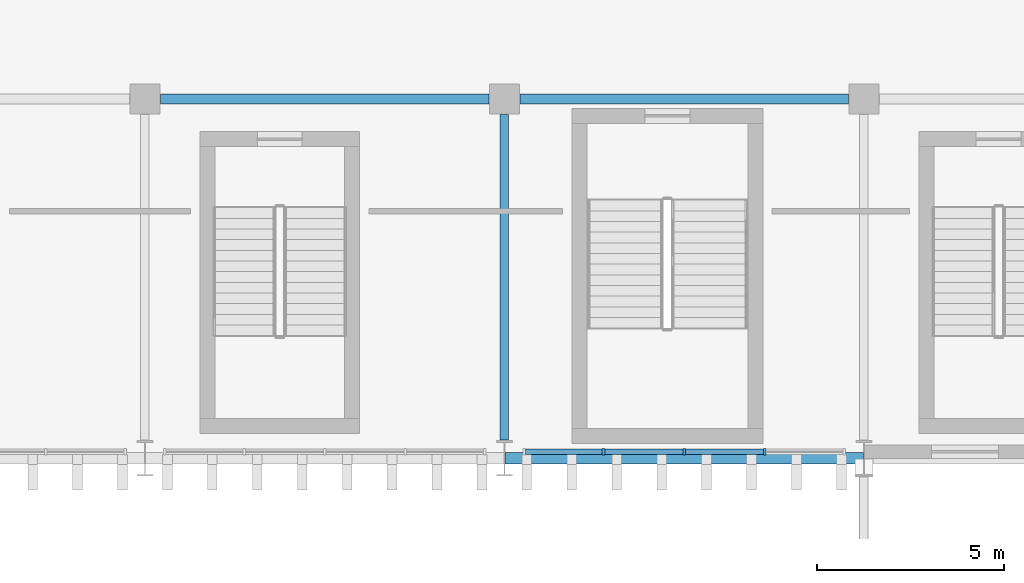
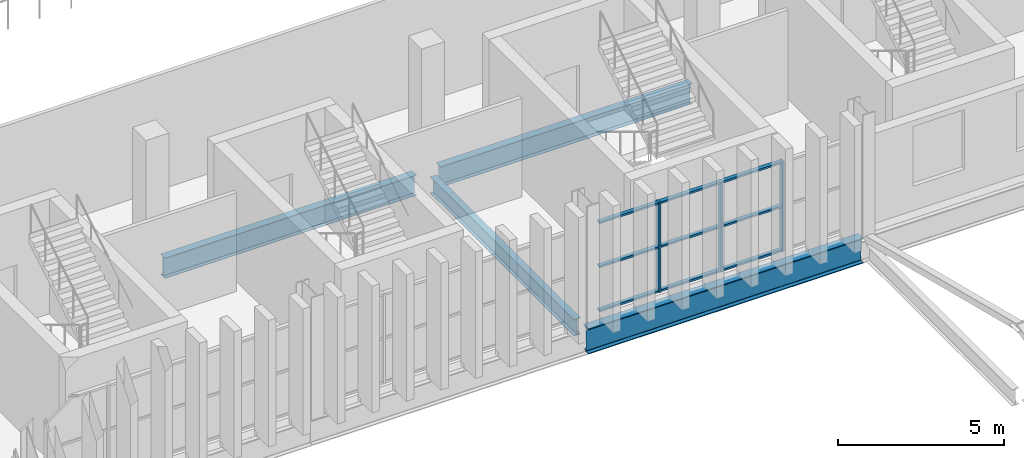
# One storey, part 10 of 75: 12 members, 4 beams, 1 element without a shape of its own.
"""IFC4 building model written with IfcOpenShell, lengths in metres."""

from ifc_helpers import new_model, si_unit, direction, frame, origin, origin_2d, place, context, subcontext, project, spatial, rectangle, i_section, extrude, material, layer, layer_set, material_profile, profile_set, type_object, element, aggregate, save


model = new_model("IFC4")

# Units and contexts
model_context = context("Model", 3, precision=1e-05, world=origin(), true_north=direction((0.0, 1.0)))
body_context = subcontext(model_context, "Body", "Model", "MODEL_VIEW")
ifc_project = project(units=[si_unit("LENGTHUNIT", "METRE"), si_unit("AREAUNIT", "SQUARE_METRE"), si_unit("VOLUMEUNIT", "CUBIC_METRE"), si_unit("PLANEANGLEUNIT", "RADIAN"), si_unit("MASSUNIT", "GRAM", prefix="KILO")], contexts=[model_context])

# Site, building, storey
site_placement = place(None, origin())
site = spatial("IfcSite", under=ifc_project, at=site_placement, CompositionType="ELEMENT")
building_placement = place(site_placement, origin())
building = spatial("IfcBuilding", under=site, at=building_placement, Name="Caelomonte Colonnade Arena", CompositionType="ELEMENT")
storey_placement = place(building_placement, frame((0.0, 0.0, 14.10009765625)))
storey = spatial("IfcBuildingStorey", under=building, at=storey_placement, Name="L03", CompositionType="ELEMENT", Elevation=14.10009765625)

# Curtain wall, members
ifc_material_1 = material(Name="Bronze anodised aluminium and low-E glazing", Category="aluminium")
ifc_layer = layer(ifc_material_1, 0.179931640625)
ifc_layer_set = layer_set([ifc_layer], Name="Bronze anodised aluminium and low-E glazing")
curtain_wall_type = type_object("IfcCurtainWallType", Name="ENV-CW-CW-L03-96-33", PredefinedType="USERDEFINED", material=ifc_layer_set)
curtain_wall_placement = place(storey_placement, origin())
curtain_wall = element("IfcCurtainWall", 1, at=curtain_wall_placement, inside=storey, type_object=curtain_wall_type, Name="L03 unitized curtain wall CW-L03-1296-0194", ObjectType="UNITIZED CURTAIN WALL", PredefinedType="USERDEFINED")
ifc_material_2 = material(Name="Bronze anodised aluminium AA6063-T6", Category="aluminium")
ifc_material_profile_1 = material_profile(ifc_material_2, rectangle(XDim=0.070068359375, YDim=0.179931640625, at=origin_2d()), Name="CWM-70X180")
ifc_profile_set_1 = profile_set([ifc_material_profile_1], Name="Bronze anodised aluminium AA6063-T6")
member_type_1 = type_object("IfcMemberType", Name="ENV-CW-MULL1", PredefinedType="MULLION", material=ifc_profile_set_1)
member_1_placement = place(storey_placement, frame((127.44677734375, 19.3798828125, 0.0), z_axis=(0.0, 0.0, 1.0), x_axis=(1.0, 0.0, 0.0)))
member_1 = element("IfcMember", 2, at=member_1_placement, type_object=member_type_1, Name="CW-L03-96-33 mullion 2", PredefinedType="MULLION", context=body_context, shape_type="SweptSolid", body=[
    extrude(rectangle(XDim=0.070068359375, YDim=0.179931640625, at=origin_2d()), origin(), (0.0, 0.0, 1.0), 3.312744140625),
])
member_2_placement = place(storey_placement, frame((129.60009765625, 19.3798828125, 0.0), z_axis=(0.0, 0.0, 1.0), x_axis=(1.0, 0.0, 0.0)))
member_2 = element("IfcMember", 3, at=member_2_placement, type_object=member_type_1, Name="CW-L03-96-33 mullion 3", PredefinedType="MULLION", context=body_context, shape_type="SweptSolid", body=[
    extrude(rectangle(XDim=0.070068359375, YDim=0.179931640625, at=origin_2d()), origin(), (0.0, 0.0, 1.0), 3.312744140625),
])
member_3_placement = place(storey_placement, frame((131.753173828125, 19.3798828125, 0.0), z_axis=(0.0, 0.0, 1.0), x_axis=(1.0, 0.0, 0.0)))
member_3 = element("IfcMember", 4, at=member_3_placement, type_object=member_type_1, Name="CW-L03-96-33 mullion 4", PredefinedType="MULLION", context=body_context, shape_type="SweptSolid", body=[
    extrude(rectangle(XDim=0.070068359375, YDim=0.179931640625, at=origin_2d()), origin(), (0.0, 0.0, 1.0), 3.312744140625),
])
ifc_material_profile_2 = material_profile(ifc_material_2, rectangle(XDim=0.070068359375, YDim=0.139892578125, at=origin_2d()), Name="CWT-70X140")
ifc_profile_set_2 = profile_set([ifc_material_profile_2], Name="Bronze anodised aluminium AA6063-T6")
member_type_2 = type_object("IfcMemberType", Name="ENV-CW-TRAN1", PredefinedType="USERDEFINED", material=ifc_profile_set_2)
member_4_placement = place(storey_placement, frame((125.36376953125, 19.3798828125, 0.034912109375), z_axis=(1.0, 0.0, 0.0), x_axis=(0.0, 0.0, 1.0)))
member_4 = element("IfcMember", 5, at=member_4_placement, type_object=member_type_2, Name="CW-L03-96-33 transom 1.1", ObjectType="TRANSOM", PredefinedType="USERDEFINED", context=body_context, shape_type="SweptSolid", body=[
    extrude(rectangle(XDim=0.070068359375, YDim=0.139892578125, at=origin_2d()), origin(), (0.0, 0.0, 1.0), 2.048095703125),
])
member_5_placement = place(storey_placement, frame((125.36376953125, 19.3798828125, 1.65625), z_axis=(1.0, 0.0, 0.0), x_axis=(0.0, 0.0, 1.0)))
member_5 = element("IfcMember", 6, at=member_5_placement, type_object=member_type_2, Name="CW-L03-96-33 transom 1.2", ObjectType="TRANSOM", PredefinedType="USERDEFINED", context=body_context, shape_type="SweptSolid", body=[
    extrude(rectangle(XDim=0.070068359375, YDim=0.139892578125, at=origin_2d()), origin(), (0.0, 0.0, 1.0), 2.048095703125),
])
member_6_placement = place(storey_placement, frame((125.36376953125, 19.3798828125, 3.277587890625), z_axis=(1.0, 0.0, 0.0), x_axis=(0.0, 0.0, 1.0)))
member_6 = element("IfcMember", 7, at=member_6_placement, type_object=member_type_2, Name="CW-L03-96-33 transom 1.3", ObjectType="TRANSOM", PredefinedType="USERDEFINED", context=body_context, shape_type="SweptSolid", body=[
    extrude(rectangle(XDim=0.070068359375, YDim=0.139892578125, at=origin_2d()), origin(), (0.0, 0.0, 1.0), 2.048095703125),
])
member_7_placement = place(storey_placement, frame((127.48193359375, 19.3798828125, 0.034912109375), z_axis=(1.0, 0.0, 0.0), x_axis=(0.0, 0.0, 1.0)))
member_7 = element("IfcMember", 8, at=member_7_placement, type_object=member_type_2, Name="CW-L03-96-33 transom 2.1", ObjectType="TRANSOM", PredefinedType="USERDEFINED", context=body_context, shape_type="SweptSolid", body=[
    extrude(rectangle(XDim=0.070068359375, YDim=0.139892578125, at=origin_2d()), origin(), (0.0, 0.0, 1.0), 2.0830078125),
])
member_8_placement = place(storey_placement, frame((127.48193359375, 19.3798828125, 1.65625), z_axis=(1.0, 0.0, 0.0), x_axis=(0.0, 0.0, 1.0)))
member_8 = element("IfcMember", 9, at=member_8_placement, type_object=member_type_2, Name="CW-L03-96-33 transom 2.2", ObjectType="TRANSOM", PredefinedType="USERDEFINED", context=body_context, shape_type="SweptSolid", body=[
    extrude(rectangle(XDim=0.070068359375, YDim=0.139892578125, at=origin_2d()), origin(), (0.0, 0.0, 1.0), 2.0830078125),
])
member_9_placement = place(storey_placement, frame((127.48193359375, 19.3798828125, 3.277587890625), z_axis=(1.0, 0.0, 0.0), x_axis=(0.0, 0.0, 1.0)))
member_9 = element("IfcMember", 10, at=member_9_placement, type_object=member_type_2, Name="CW-L03-96-33 transom 2.3", ObjectType="TRANSOM", PredefinedType="USERDEFINED", context=body_context, shape_type="SweptSolid", body=[
    extrude(rectangle(XDim=0.070068359375, YDim=0.139892578125, at=origin_2d()), origin(), (0.0, 0.0, 1.0), 2.0830078125),
])
member_10_placement = place(storey_placement, frame((129.635009765625, 19.3798828125, 0.034912109375), z_axis=(1.0, 0.0, 0.0), x_axis=(0.0, 0.0, 1.0)))
member_10 = element("IfcMember", 11, at=member_10_placement, type_object=member_type_2, Name="CW-L03-96-33 transom 3.1", ObjectType="TRANSOM", PredefinedType="USERDEFINED", context=body_context, shape_type="SweptSolid", body=[
    extrude(rectangle(XDim=0.070068359375, YDim=0.139892578125, at=origin_2d()), origin(), (0.0, 0.0, 1.0), 2.083251953125),
])
member_11_placement = place(storey_placement, frame((129.635009765625, 19.3798828125, 1.65625), z_axis=(1.0, 0.0, 0.0), x_axis=(0.0, 0.0, 1.0)))
member_11 = element("IfcMember", 12, at=member_11_placement, type_object=member_type_2, Name="CW-L03-96-33 transom 3.2", ObjectType="TRANSOM", PredefinedType="USERDEFINED", context=body_context, shape_type="SweptSolid", body=[
    extrude(rectangle(XDim=0.070068359375, YDim=0.139892578125, at=origin_2d()), origin(), (0.0, 0.0, 1.0), 2.083251953125),
])
member_12_placement = place(storey_placement, frame((129.635009765625, 19.3798828125, 3.277587890625), z_axis=(1.0, 0.0, 0.0), x_axis=(0.0, 0.0, 1.0)))
member_12 = element("IfcMember", 13, at=member_12_placement, type_object=member_type_2, Name="CW-L03-96-33 transom 3.3", ObjectType="TRANSOM", PredefinedType="USERDEFINED", context=body_context, shape_type="SweptSolid", body=[
    extrude(rectangle(XDim=0.070068359375, YDim=0.139892578125, at=origin_2d()), origin(), (0.0, 0.0, 1.0), 2.083251953125),
])
aggregate(curtain_wall, [member_1, member_2, member_3, member_4, member_5, member_6, member_7, member_8, member_9, member_10, member_11, member_12])

# Beams
ifc_material_3 = material(Name="Wide-flange steel ASTM A992 Grade 50", Category="steel")
ifc_material_profile_3 = material_profile(ifc_material_3, i_section(OverallWidth=0.307861328125, OverallDepth=0.927001953125, WebThickness=0.019287109375, FlangeThickness=0.031982421875, FilletRadius=0.020263671875, at=origin_2d()), Name="W36X194")
ifc_profile_set_3 = profile_set([ifc_material_profile_3], Name="Wide-flange steel ASTM A992 Grade 50")
beam_type_1 = type_object("IfcBeamType", Name="STR-BM-EAVES2", PredefinedType="SPANDREL", material=ifc_profile_set_3)
beam_1_placement = place(storey_placement, frame((124.811767578125, 19.199951171875, -0.74365234375), z_axis=(1.0, 0.0, 0.0), x_axis=(0.0, 1.0, 0.0)))
element("IfcBeam", 14, at=beam_1_placement, inside=storey, type_object=beam_type_1, Name="L03 girder BMX-L03-1248-0192", PredefinedType="SPANDREL", context=body_context, shape_type="SweptSolid", body=[
    extrude(i_section(OverallWidth=0.307861328125, OverallDepth=0.927001953125, WebThickness=0.019287109375, FlangeThickness=0.031982421875, FilletRadius=0.020263671875, at=origin_2d()), origin(), (0.0, 0.0, 1.0), 9.576416015625),
])
ifc_material_profile_4 = material_profile(ifc_material_3, i_section(OverallWidth=0.228271484375, OverallDepth=0.607177734375, WebThickness=0.01123046875, FlangeThickness=0.017333984375, FilletRadius=0.0126953125, at=origin_2d()), Name="W24X76")
ifc_profile_set_4 = profile_set([ifc_material_profile_4], Name="Wide-flange steel ASTM A992 Grade 50")
beam_type_2 = type_object("IfcBeamType", Name="STR-BM-GIRD24", PredefinedType="BEAM", material=ifc_profile_set_4)
beam_2_placement = place(storey_placement, frame((124.800048828125, 19.697509765625, -0.58349609375), z_axis=(0.0, 1.0, 0.0), x_axis=(-1.0, 0.0, 0.0)))
element("IfcBeam", 15, at=beam_2_placement, inside=storey, type_object=beam_type_2, Name="L03 girder BMY-L03-1248-0192", PredefinedType="BEAM", context=body_context, shape_type="SweptSolid", body=[
    extrude(i_section(OverallWidth=0.228271484375, OverallDepth=0.607177734375, WebThickness=0.01123046875, FlangeThickness=0.017333984375, FilletRadius=0.0126953125, at=origin_2d()), origin(), (0.0, 0.0, 1.0), 8.685546875),
])
ifc_material_profile_5 = material_profile(ifc_material_3, i_section(OverallWidth=0.265380859375, OverallDepth=0.75439453125, WebThickness=0.01318359375, FlangeThickness=0.01708984375, FilletRadius=0.0166015625, at=origin_2d()), Name="W30X99")
ifc_profile_set_5 = profile_set([ifc_material_profile_5], Name="Wide-flange steel ASTM A992 Grade 50")
beam_type_3 = type_object("IfcBeamType", Name="STR-BM-GIRD30B", PredefinedType="BEAM", material=ifc_profile_set_5)
beam_3_placement = place(storey_placement, frame((115.616943359375, 28.800048828125, -0.6572265625), z_axis=(1.0, 0.0, 0.0), x_axis=(0.0, 1.0, 0.0)))
element("IfcBeam", 16, at=beam_3_placement, inside=storey, type_object=beam_type_3, Name="L03 girder BMX-L03-1152-0288", PredefinedType="BEAM", context=body_context, shape_type="SweptSolid", body=[
    extrude(i_section(OverallWidth=0.265380859375, OverallDepth=0.75439453125, WebThickness=0.01318359375, FlangeThickness=0.01708984375, FilletRadius=0.0166015625, at=origin_2d()), origin(), (0.0, 0.0, 1.0), 8.76611328125),
])
beam_4_placement = place(storey_placement, frame((125.217041015625, 28.800048828125, -0.6572265625), z_axis=(1.0, 0.0, 0.0), x_axis=(0.0, 1.0, 0.0)))
element("IfcBeam", 17, at=beam_4_placement, inside=storey, type_object=beam_type_3, Name="L03 girder BMX-L03-1248-0288", PredefinedType="BEAM", context=body_context, shape_type="SweptSolid", body=[
    extrude(i_section(OverallWidth=0.265380859375, OverallDepth=0.75439453125, WebThickness=0.01318359375, FlangeThickness=0.01708984375, FilletRadius=0.0166015625, at=origin_2d()), origin(), (0.0, 0.0, 1.0), 8.765869140625),
])

save(model, "model.ifc")
